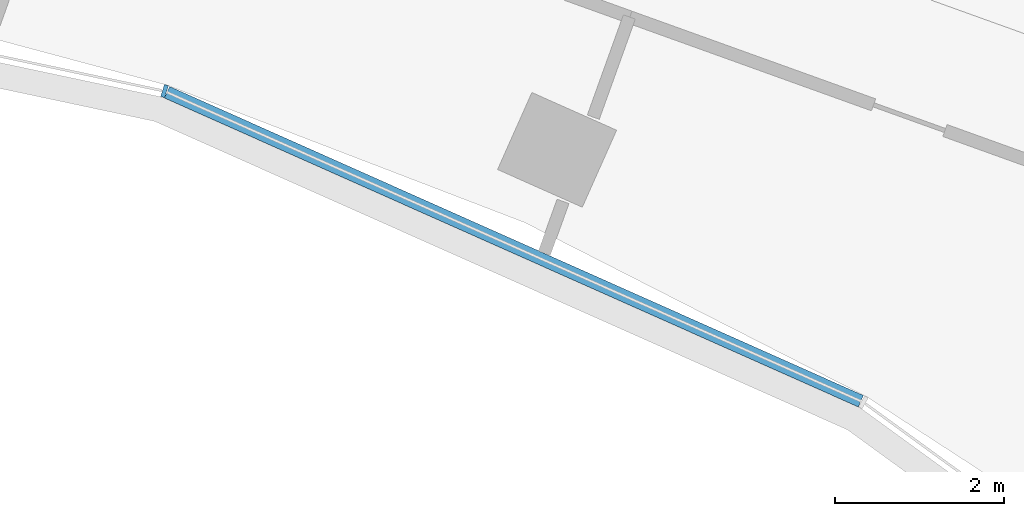
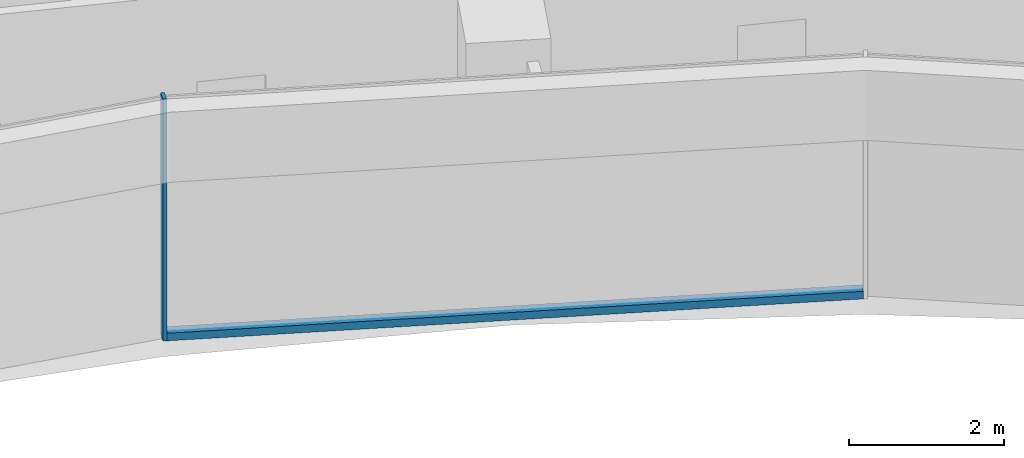
# One storey, part 9 of 23: 2 members, 1 element without a shape of its own.
"""IFC4 building model written with IfcOpenShell, lengths in metres."""

from ifc_helpers import new_model, si_unit, direction, frame, origin, origin_2d, place, context, subcontext, project, spatial, rectangle, extrude, material, layer, layer_set, material_profile, profile_set, type_object, element, aggregate, save


model = new_model("IFC4")

# Units and contexts
model_context = context("Model", 3, precision=1e-05, world=origin(), true_north=direction((0.0, 1.0)))
body_context = subcontext(model_context, "Body", "Model", "MODEL_VIEW")
ifc_project = project(units=[si_unit("LENGTHUNIT", "METRE"), si_unit("AREAUNIT", "SQUARE_METRE"), si_unit("VOLUMEUNIT", "CUBIC_METRE"), si_unit("PLANEANGLEUNIT", "RADIAN"), si_unit("MASSUNIT", "GRAM", prefix="KILO")], contexts=[model_context])

# Site, building, storey
site_placement = place(None, origin())
site = spatial("IfcSite", under=ifc_project, at=site_placement, CompositionType="ELEMENT")
building_placement = place(site_placement, origin())
building = spatial("IfcBuilding", under=site, at=building_placement, Name="Stone Belt Terrace Tower", CompositionType="ELEMENT")
storey_placement = place(building_placement, frame((0.0, 0.0, 144.0)))
storey = spatial("IfcBuildingStorey", under=building, at=storey_placement, Name="L34", CompositionType="ELEMENT", Elevation=144.0)

# Curtain wall, members
ifc_material = material(Name="Aluminium 6063-T6 anodised frame", Category="aluminium")
ifc_layer = layer(ifc_material, 0.14990234375)
ifc_layer_set = layer_set([ifc_layer], Name="CW-B unitised concave-face curtain wall")
curtain_wall_type = type_object("IfcCurtainWallType", Name="CW-B unitised concave-face curtain wall", PredefinedType="NOTDEFINED", material=ifc_layer_set)
curtain_wall_placement = place(storey_placement, origin())
curtain_wall = element("IfcCurtainWall", 1, at=curtain_wall_placement, inside=storey, type_object=curtain_wall_type, Name="CW-B concave face L34", PredefinedType="NOTDEFINED")
ifc_material_profile_1 = material_profile(ifc_material, rectangle(XDim=0.14990234375, YDim=0.050048828125, at=origin_2d()), Name="Aluminium 6063-T6 50x150")
ifc_profile_set_1 = profile_set([ifc_material_profile_1], Name="Aluminium 6063-T6 anodised frame")
member_type_1 = type_object("IfcMemberType", Name="CW-B mullion 50 x 150", PredefinedType="MULLION", material=ifc_profile_set_1)
member_1_placement = place(storey_placement, frame((13.4189453125, 41.29931640625, 0.0), z_axis=(0.0, 0.0, 1.0), x_axis=(0.309016994375, 0.951056516295, 0.0)))
member_1 = element("IfcMember", 2, at=member_1_placement, type_object=member_type_1, Name="CW-B mullion 7", PredefinedType="MULLION", context=body_context, shape_type="SweptSolid", body=[
    extrude(rectangle(XDim=0.14990234375, YDim=0.050048828125, at=origin_2d()), origin(), (0.0, 0.0, 1.0), 3.800048828125),
])
ifc_material_profile_2 = material_profile(ifc_material, rectangle(XDim=0.14990234375, YDim=0.1201171875, at=origin_2d()), Name="Aluminium 6063-T6 150x120")
ifc_profile_set_2 = profile_set([ifc_material_profile_2], Name="Aluminium 6063-T6 anodised frame")
member_type_2 = type_object("IfcMemberType", Name="CW-B transom 120 x 150", PredefinedType="USERDEFINED", material=ifc_profile_set_2)
member_2_placement = place(storey_placement, frame((13.44873046875, 41.285888671875, 0.06005859375), z_axis=(0.913548853737, -0.406729015237, 0.0), x_axis=(0.406729015237, 0.913548853737, 0.0)))
member_2 = element("IfcMember", 3, at=member_2_placement, type_object=member_type_2, Name="CW-B transom 7.1", ObjectType="TRANSOM", PredefinedType="USERDEFINED", context=body_context, shape_type="SweptSolid", body=[
    extrude(rectangle(XDim=0.14990234375, YDim=0.1201171875, at=origin_2d()), origin(), (0.0, 0.0, 1.0), 9.0126953125),
])
aggregate(curtain_wall, [member_1, member_2])

save(model, "model.ifc")
